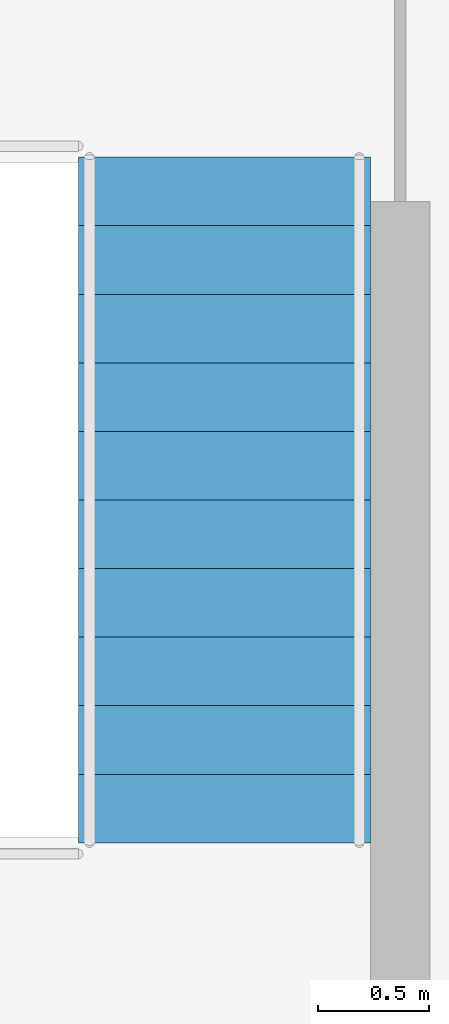
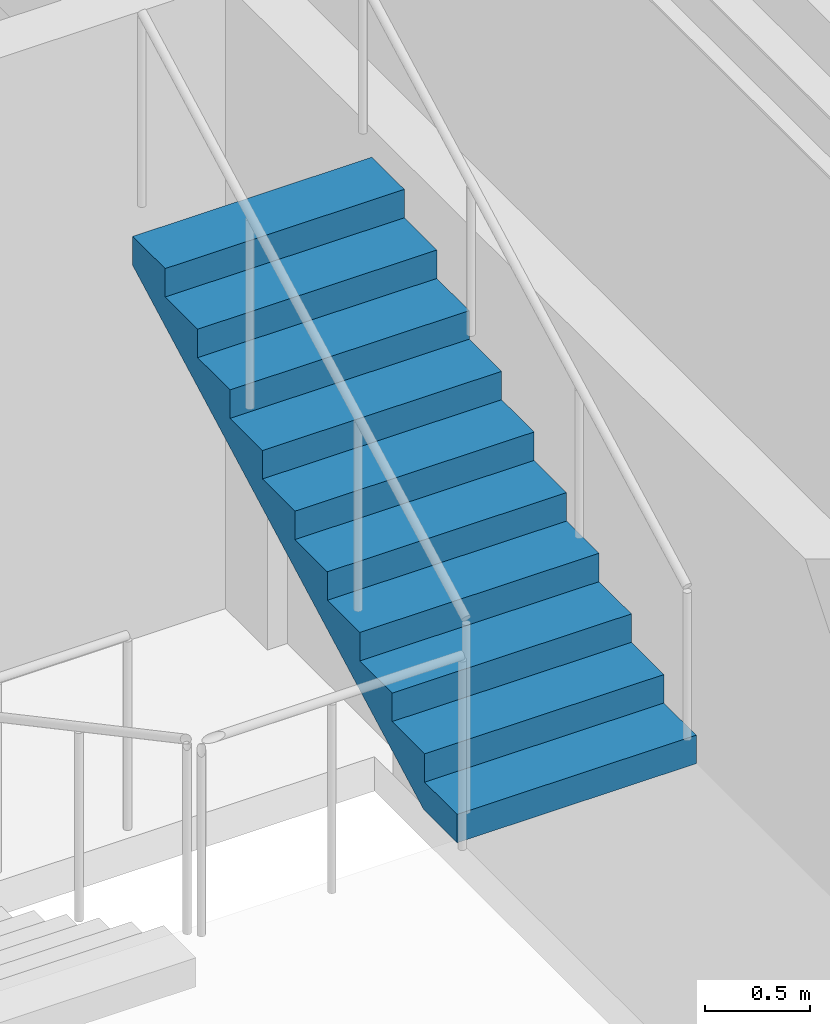
# One storey, part 11 of 13: 1 stair flight, 1 element without a shape of its own.
"""IFC4 building model written with IfcOpenShell, lengths in metres."""

from ifc_helpers import new_model, si_unit, direction, frame, origin, place, context, subcontext, project, spatial, polyline, outline, extrude, material, type_object, element, aggregate, save


model = new_model("IFC4")

# Units and contexts
model_context = context("Model", 3, precision=1e-05, world=origin(), true_north=direction((0.0, 1.0)))
body_context = subcontext(model_context, "Body", "Model", "MODEL_VIEW")
ifc_project = project(units=[si_unit("LENGTHUNIT", "METRE"), si_unit("AREAUNIT", "SQUARE_METRE"), si_unit("VOLUMEUNIT", "CUBIC_METRE"), si_unit("PLANEANGLEUNIT", "RADIAN"), si_unit("MASSUNIT", "GRAM", prefix="KILO")], contexts=[model_context])

# Site, building, storey
site_placement = place(None, origin())
site = spatial("IfcSite", under=ifc_project, at=site_placement, CompositionType="ELEMENT")
building_placement = place(site_placement, origin())
building = spatial("IfcBuilding", under=site, at=building_placement, Name="Lazwardi Medical Tower", CompositionType="ELEMENT")
storey_placement = place(building_placement, frame((0.0, 0.0, 295.152099609375)))
storey = spatial("IfcBuildingStorey", under=building, at=storey_placement, Name="L77", CompositionType="ELEMENT", Elevation=295.152099609375)

# Stair, stair flight
ifc_material = material(Name="Concrete C45/55", Category="concrete")
stair_type = type_object("IfcStairType", Name="STR-WRD", PredefinedType="HALF_TURN_STAIR", material=ifc_material)
stair_placement = place(storey_placement, origin())
stair = element("IfcStair", 1, at=stair_placement, inside=storey, type_object=stair_type, Name="L77 Protected Exit Stair ST3", PredefinedType="HALF_TURN_STAIR")
stair_flight_type = type_object("IfcStairFlightType", Name="FLT-WRD", PredefinedType="STRAIGHT", material=ifc_material)
stair_flight_placement = place(storey_placement, frame((49.6201171875, 27.300048828125, 1.823974609375), z_axis=(0.0, 0.0, 1.0), x_axis=(0.0, 1.0, 0.0)))
stair_flight = element("IfcStairFlight", 2, at=stair_flight_placement, type_object=stair_flight_type, Name="ST3 flight 2", NumberOfRisers=11, NumberOfTreads=10, PredefinedType="STRAIGHT", RiserHeight=0.165818182, TreadLength=0.31, context=body_context, shape_type="SweptSolid", body=[
    extrude(outline(polyline([(0.0, 0.0), (0.0, 0.165771484375), (0.31005859375, 0.165771484375), (0.31005859375, 0.33154296875), (0.6201171875, 0.33154296875), (0.6201171875, 0.49755859375), (0.929931640625, 0.49755859375), (0.929931640625, 0.663330078125), (1.239990234375, 0.663330078125), (1.239990234375, 0.8291015625), (1.550048828125, 0.8291015625), (1.550048828125, 0.994873046875), (1.860107421875, 0.994873046875), (1.860107421875, 1.16064453125), (2.169921875, 1.16064453125), (2.169921875, 1.32666015625), (2.47998046875, 1.32666015625), (2.47998046875, 1.492431640625), (2.7900390625, 1.492431640625), (2.7900390625, 1.658203125), (3.10009765625, 1.658203125), (3.10009765625, 1.823974609375), (3.10009765625, 1.48828125), (0.31787109375, 0.0), (0.0, 0.0)])), frame((0.0, 0.66015625, 0.0), z_axis=(0.0, -1.0, 0.0), x_axis=(1.0, 0.0, 0.0)), (0.0, 0.0, 1.0), 1.320068359375),
])
aggregate(stair, [stair_flight])

save(model, "model.ifc")
